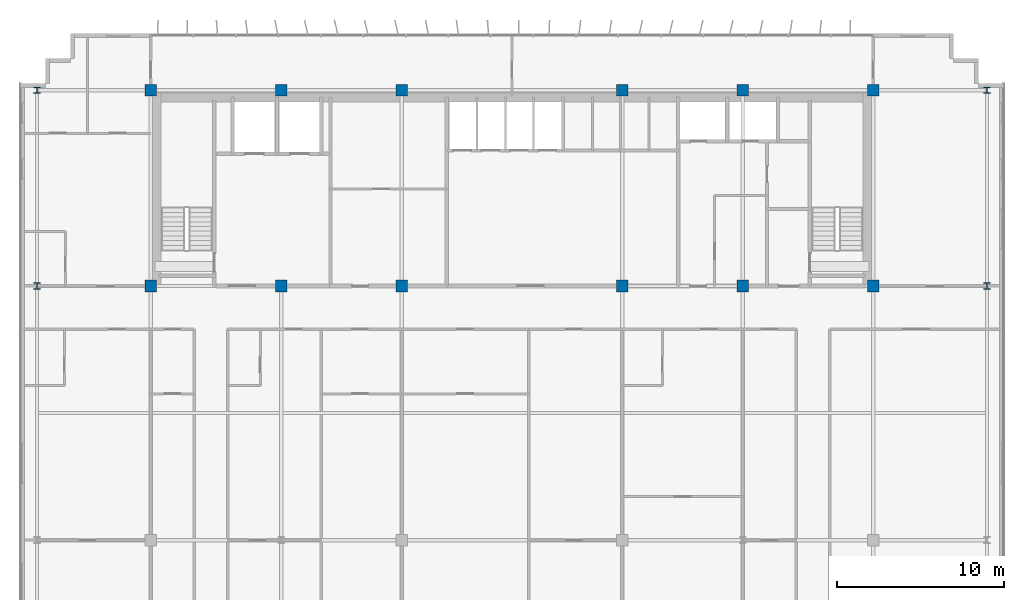
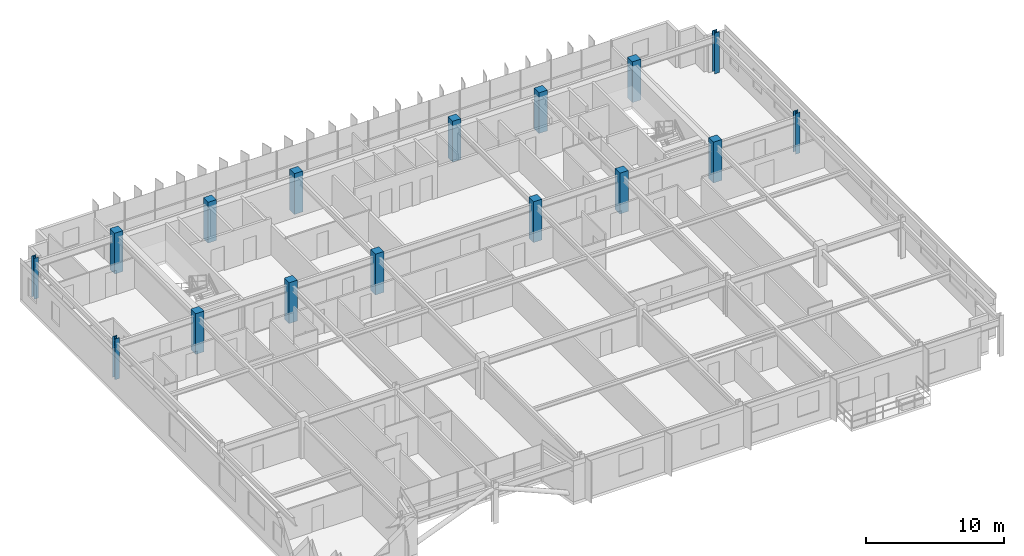
# One storey, part 2 of 24: 16 columns.
"""IFC4 building model written with IfcOpenShell, lengths in metres."""

from ifc_helpers import new_model, si_unit, direction, frame, origin, origin_2d, place, context, subcontext, project, spatial, rectangle, i_section, extrude, source, transform, mapped, material, material_profile, profile_set, type_object, element, save


model = new_model("IFC4")

# Units and contexts
model_context = context("Model", 3, precision=1e-05, world=origin(), true_north=direction((0.0, 1.0)))
body_context = subcontext(model_context, "Body", "Model", "MODEL_VIEW")
ifc_project = project(units=[si_unit("LENGTHUNIT", "METRE"), si_unit("AREAUNIT", "SQUARE_METRE"), si_unit("VOLUMEUNIT", "CUBIC_METRE"), si_unit("PLANEANGLEUNIT", "RADIAN"), si_unit("MASSUNIT", "GRAM", prefix="KILO")], contexts=[model_context])

# Site, building, storey
site_placement = place(None, origin())
site = spatial("IfcSite", under=ifc_project, at=site_placement, CompositionType="ELEMENT")
building_placement = place(site_placement, origin())
building = spatial("IfcBuilding", under=site, at=building_placement, Name="Trelvane Seafront Commons", CompositionType="ELEMENT")
storey_placement = place(building_placement, frame((0.0, 0.0, 178.89990234375)))
storey = spatial("IfcBuildingStorey", under=building, at=storey_placement, Name="L47", CompositionType="ELEMENT", Elevation=178.89990234375)

# Columns
ifc_material_1 = material(Name="Steel SM355 (S355)", Category="steel")
ifc_material_profile_1 = material_profile(ifc_material_1, i_section(OverallWidth=0.3798828125, OverallDepth=0.3798828125, WebThickness=0.02001953125, FlangeThickness=0.030029296875, at=origin_2d()), Name="HD-380x380x20x30")
ifc_profile_set_1 = profile_set([ifc_material_profile_1], Name="Steel SM355 (S355)")
column_type_1 = type_object("IfcColumnType", Name="STR-COL-HD380", PredefinedType="COLUMN", material=ifc_profile_set_1)
shared_shape_1 = source(origin(), body_context, "Body", "SweptSolid", [
    extrude(i_section(OverallWidth=0.3798828125, OverallDepth=0.3798828125, WebThickness=0.02001953125, FlangeThickness=0.030029296875, at=origin_2d()), origin(), (0.0, 0.0, 1.0), 3.60009765625),
])
for number, where, z_axis, x_axis, name in (
    (1, (8.800048828125, 33.39990234375, 0.0), (0.0, 0.0, 1.0), (1.0, 0.0, 0.0), "L47 Column TC-CS8.8"),
    (2, (8.800048828125, 45.10009765625, 0.0), (0.0, 0.0, 1.0), (1.0, 0.0, 0.0), "L47 Column TC-CN8.8"),
    (3, (65.60009765625, 33.39990234375, 0.0), (0.0, 0.0, 1.0), (1.0, 0.0, 0.0), "L47 Column TC-CS65.6"),
    (4, (65.60009765625, 45.10009765625, 0.0), (0.0, 0.0, 1.0), (1.0, 0.0, 0.0), "L47 Column TC-CN65.6"),
):
    element("IfcColumn", number, at=place(storey_placement, frame(where, z_axis=z_axis, x_axis=x_axis)), inside=storey, type_object=column_type_1, Name=name, PredefinedType="COLUMN", context=body_context, shape_type="MappedRepresentation", body=[
        mapped(shared_shape_1, transform((0.0, 0.0, 0.0), x_axis=(1.0, 0.0, 0.0), y_axis=(0.0, 1.0, 0.0), z_axis=(0.0, 0.0, 1.0), scale=1.0)),
    ])
ifc_material_2 = material(Name="Concrete C50/60", Category="concrete")
ifc_material_profile_2 = material_profile(ifc_material_2, rectangle(XDim=0.699951171875, YDim=0.699951171875, at=origin_2d()), Name="RC-700x700")
ifc_profile_set_2 = profile_set([ifc_material_profile_2], Name="Concrete C50/60")
column_type_2 = type_object("IfcColumnType", Name="STR-COL-RC700", PredefinedType="COLUMN", material=ifc_profile_set_2)
shared_shape_2 = source(origin(), body_context, "Body", "SweptSolid", [
    extrude(rectangle(XDim=0.699951171875, YDim=0.699951171875, at=origin_2d()), origin(), (0.0, 0.0, 1.0), 3.60009765625),
])
for number, where, z_axis, x_axis, name in (
    (5, (15.60009765625, 33.39990234375, 0.0), (0.0, 0.0, 1.0), (1.0, 0.0, 0.0), "L47 Column TC-CS15.6"),
    (6, (15.60009765625, 45.10009765625, 0.0), (0.0, 0.0, 1.0), (1.0, 0.0, 0.0), "L47 Column TC-CN15.6"),
    (7, (23.39990234375, 33.39990234375, 0.0), (0.0, 0.0, 1.0), (1.0, 0.0, 0.0), "L47 Column TC-CS23.4"),
    (8, (23.39990234375, 45.10009765625, 0.0), (0.0, 0.0, 1.0), (1.0, 0.0, 0.0), "L47 Column TC-CN23.4"),
    (9, (30.60009765625, 33.39990234375, 0.0), (0.0, 0.0, 1.0), (1.0, 0.0, 0.0), "L47 Column TC-CS30.6"),
    (10, (30.60009765625, 45.10009765625, 0.0), (0.0, 0.0, 1.0), (1.0, 0.0, 0.0), "L47 Column TC-CN30.6"),
    (11, (43.800048828125, 33.39990234375, 0.0), (0.0, 0.0, 1.0), (1.0, 0.0, 0.0), "L47 Column TC-CS43.8"),
    (12, (43.800048828125, 45.10009765625, 0.0), (0.0, 0.0, 1.0), (1.0, 0.0, 0.0), "L47 Column TC-CN43.8"),
    (13, (51.0, 33.39990234375, 0.0), (0.0, 0.0, 1.0), (1.0, 0.0, 0.0), "L47 Column TC-CS51.0"),
    (14, (51.0, 45.10009765625, 0.0), (0.0, 0.0, 1.0), (1.0, 0.0, 0.0), "L47 Column TC-CN51.0"),
    (15, (58.800048828125, 33.39990234375, 0.0), (0.0, 0.0, 1.0), (1.0, 0.0, 0.0), "L47 Column TC-CS58.8"),
    (16, (58.800048828125, 45.10009765625, 0.0), (0.0, 0.0, 1.0), (1.0, 0.0, 0.0), "L47 Column TC-CN58.8"),
):
    element("IfcColumn", number, at=place(storey_placement, frame(where, z_axis=z_axis, x_axis=x_axis)), inside=storey, type_object=column_type_2, Name=name, PredefinedType="COLUMN", context=body_context, shape_type="MappedRepresentation", body=[
        mapped(shared_shape_2, transform((0.0, 0.0, 0.0), x_axis=(1.0, 0.0, 0.0), y_axis=(0.0, 1.0, 0.0), z_axis=(0.0, 0.0, 1.0), scale=1.0)),
    ])

save(model, "model.ifc")
